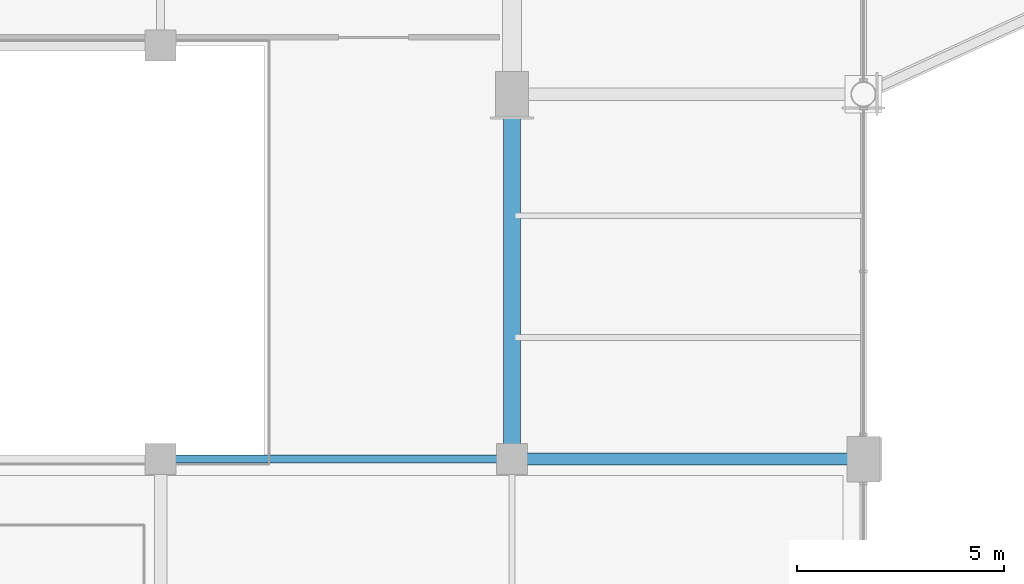
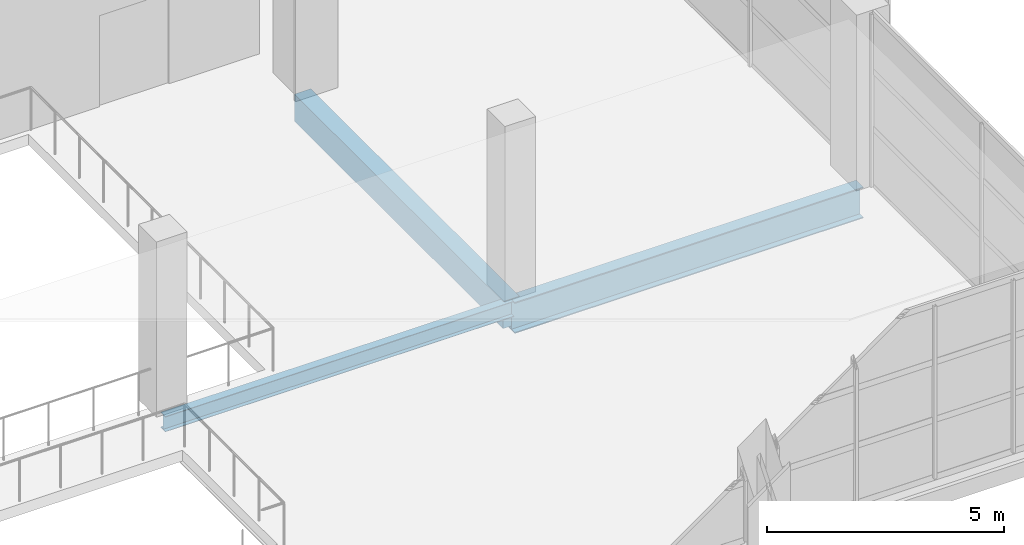
# One storey, part 24 of 101: 3 beams.
"""IFC4 building model written with IfcOpenShell, lengths in metres."""

import ifcopenshell
import ifcopenshell.guid

model = None  # the IFC model being written
_history = None  # IfcOwnerHistory: only IFC2X3 demands one
_inside = {}  # id of a spatial element -> (the spatial element, [elements in it])
_under = {}  # id of a project, library or spatial element -> (it, [spatial elements below it])
_declared = {}  # id of a project -> (the project, [libraries it declares])
_typed = {}  # id of a type object -> (the type object, [elements of that type])
_made_of = {}  # id of a material, layer set ... -> (it, [elements and type objects made of it])


def new_model(schema):
    """Start an empty IFC model of exactly this schema.

    Asked for "IFC4X3", IfcOpenShell would pick the latest addendum, in which some entities
    have other attributes; the version numbers below select the first issue.
    IFC2X3 requires an IfcOwnerHistory on every rooted entity: one is made here for all.
    """
    global model, _history
    if schema == "IFC4X3":
        model = ifcopenshell.file(schema_version=(4, 3, 0, 0))
    else:
        model = ifcopenshell.file(schema=schema)
    _inside.clear()
    _under.clear()
    _declared.clear()
    _typed.clear()
    _made_of.clear()
    _history = None
    if model.schema == "IFC2X3":
        org = make("IfcOrganization", Name="unknown")
        user = make(
            "IfcPersonAndOrganization",
            ThePerson=make("IfcPerson", FamilyName="unknown"),
            TheOrganization=org,
        )
        app = make(
            "IfcApplication",
            ApplicationDeveloper=org,
            Version="unknown",
            ApplicationFullName="unknown",
            ApplicationIdentifier="unknown",
        )
        _history = make(
            "IfcOwnerHistory",
            OwningUser=user,
            OwningApplication=app,
            ChangeAction="ADDED",
            CreationDate=0,
        )
    return model


def make(cls, **values):
    """One entity of the class cls with the attributes given. An attribute that is None is left unset."""
    return model.create_entity(
        cls, **{name: value for name, value in values.items() if value is not None}
    )


def rooted(cls, **values):
    """An entity with a GlobalId (a new one), such as an element, a storey or a relation."""
    return make(cls, GlobalId=ifcopenshell.guid.new(), OwnerHistory=_history, **values)


def si_unit(unit_type, name, prefix=None):
    """IfcSIUnit, for example si_unit("LENGTHUNIT", "METRE", prefix="MILLI")."""
    return make("IfcSIUnit", UnitType=unit_type, Prefix=prefix, Name=name)


def assignment(units):
    """IfcUnitAssignment: the units of a project."""
    return None if units is None else make("IfcUnitAssignment", Units=units)


def point(xyz):
    """IfcCartesianPoint."""
    return None if xyz is None else make("IfcCartesianPoint", Coordinates=xyz)


def direction(xyz):
    """IfcDirection."""
    return None if xyz is None else make("IfcDirection", DirectionRatios=xyz)


def frame(location, z_axis=None, x_axis=None):
    """IfcAxis2Placement3D, a coordinate frame: its origin and axes. An axis left out is left unset."""
    return make(
        "IfcAxis2Placement3D",
        Location=point(location),
        Axis=direction(z_axis),
        RefDirection=direction(x_axis),
    )


def frame_2d(location, x_axis=None):
    """IfcAxis2Placement2D, a coordinate frame in the plane: its origin and x axis."""
    return make(
        "IfcAxis2Placement2D", Location=point(location), RefDirection=direction(x_axis)
    )


def origin():
    """The frame at (0, 0, 0) with its axes left unset."""
    return frame((0.0, 0.0, 0.0))


def origin_2d():
    """The frame at (0, 0) in the plane with its x axis left unset."""
    return frame_2d((0.0, 0.0))


def place(relative_to, where):
    """IfcLocalPlacement: puts the frame where relative to a parent placement (None: the world)."""
    return make(
        "IfcLocalPlacement", PlacementRelTo=relative_to, RelativePlacement=where
    )


def context(
    kind, dimensions, precision=None, world=None, true_north=None, identifier=None
):
    """IfcGeometricRepresentationContext, for example the 3D "Model" context."""
    return make(
        "IfcGeometricRepresentationContext",
        ContextIdentifier=identifier,
        ContextType=kind,
        CoordinateSpaceDimension=dimensions,
        Precision=precision,
        WorldCoordinateSystem=world,
        TrueNorth=true_north,
    )


def subcontext(parent, identifier, kind, view, scale=None):
    """IfcGeometricRepresentationSubContext, for example "Body" below "Model"."""
    return make(
        "IfcGeometricRepresentationSubContext",
        ContextIdentifier=identifier,
        ContextType=kind,
        ParentContext=parent,
        TargetScale=scale,
        TargetView=view,
    )


def project(units=None, contexts=None):
    """IfcProject with its units and contexts."""
    return rooted(
        "IfcProject",
        Name="project",
        RepresentationContexts=contexts,
        UnitsInContext=assignment(units),
    )


def spatial(cls, under=None, at=None, **own):
    """A site, building, storey or space (cls), placed at a placement, below another one or the project."""
    s = rooted(cls, ObjectPlacement=at, **own)
    if under is not None:
        _under.setdefault(under.id(), (under, []))[1].append(s)
    return s


def profile(cls, at=None, kind="AREA", **sizes):
    """A parametric profile (cls). Its sizes go by their IFC names, for example OverallWidth=200.0."""
    return make(cls, ProfileType=kind, Position=at, **sizes)


def rectangle(**sizes):
    """IfcRectangleProfileDef."""
    return profile("IfcRectangleProfileDef", **sizes)


def i_section(**sizes):
    """IfcIShapeProfileDef."""
    return profile("IfcIShapeProfileDef", **sizes)


def extrude(swept, where, along, depth):
    """IfcExtrudedAreaSolid: the profile swept, set in the frame where, extruded along a direction by depth."""
    return make(
        "IfcExtrudedAreaSolid",
        SweptArea=swept,
        Position=where,
        ExtrudedDirection=direction(along),
        Depth=depth,
    )


def shape(context_of_items, identifier, shape_type, items):
    """IfcShapeRepresentation: the items that make up one representation, for example the "Body"."""
    return make(
        "IfcShapeRepresentation",
        ContextOfItems=context_of_items,
        RepresentationIdentifier=identifier,
        RepresentationType=shape_type,
        Items=items,
    )


def material(Name=None, Category=None):
    """IfcMaterial."""
    return make("IfcMaterial", Name=Name, Category=Category)


def material_profile(
    of_material, cross_section, Name=None, Category=None, Priority=None
):
    """IfcMaterialProfile: a cross section and its material."""
    return make(
        "IfcMaterialProfile",
        Name=Name,
        Material=of_material,
        Profile=cross_section,
        Priority=Priority,
        Category=Category,
    )


def profile_set(profiles, Name=None, composite=None):
    """IfcMaterialProfileSet."""
    return make(
        "IfcMaterialProfileSet",
        Name=Name,
        MaterialProfiles=profiles,
        CompositeProfile=composite,
    )


def made_of(thing, what):
    """Note that an element or type object is made of a material, layer set ...; save() writes the relation."""
    if what is not None:
        _made_of.setdefault(what.id(), (what, []))[1].append(thing)
    return thing


def type_object(cls, material=None, **own):
    """A type object (cls), such as IfcWallType, which elements share."""
    return made_of(rooted(cls, **own), material)


def element(
    cls,
    number,
    at=None,
    inside=None,
    cuts=None,
    type_object=None,
    material=None,
    context=None,
    identifier="Body",
    shape_type=None,
    held_by="IfcProductDefinitionShape",
    body=None,
    shapes=None,
    **own,
):
    """One element of the class cls, such as IfcWall. Its Tag is "e" and its number.

    at: its placement. inside: the storey or other place that contains it. cuts: it is an
    opening in that element (IfcRelVoidsElement). A single representation is given by context,
    identifier, shape_type and body (its items); several are given by shapes. held_by: the class
    of the entity that holds the representations. save() writes the other relations.
    """
    e = rooted(cls, Tag="e%d" % number, ObjectPlacement=at, **own)
    if body is not None:
        shapes = [shape(context, identifier, shape_type, body)]
    if shapes is not None:
        e.Representation = make(held_by, Representations=shapes)
    if inside is not None:
        _inside.setdefault(inside.id(), (inside, []))[1].append(e)
    if cuts is not None:
        rooted(
            "IfcRelVoidsElement", RelatingBuildingElement=cuts, RelatedOpeningElement=e
        )
    if type_object is not None:
        _typed.setdefault(type_object.id(), (type_object, []))[1].append(e)
    return made_of(e, material)


def aggregate(whole, parts):
    """IfcRelAggregates: a whole, such as a stair, and the parts it consists of."""
    return rooted("IfcRelAggregates", RelatingObject=whole, RelatedObjects=parts)


def save(model, path):
    """Write the relations noted so far, then the file.

    IfcRelAggregates (storeys below a building ...), IfcRelContainedInSpatialStructure (elements
    in a storey), IfcRelDefinesByType, IfcRelAssociatesMaterial and IfcRelDeclares: one each for
    every whole, place, type object, material and project.
    """
    for whole, parts in _under.values():
        aggregate(whole, parts)
    for where, things in _inside.values():
        rooted(
            "IfcRelContainedInSpatialStructure",
            RelatedElements=things,
            RelatingStructure=where,
        )
    for kind, things in _typed.values():
        rooted("IfcRelDefinesByType", RelatedObjects=things, RelatingType=kind)
    for what, things in _made_of.values():
        rooted("IfcRelAssociatesMaterial", RelatedObjects=things, RelatingMaterial=what)
    for by, libraries in _declared.values():
        rooted("IfcRelDeclares", RelatingContext=by, RelatedDefinitions=libraries)
    model.write(path)


model = new_model("IFC4")

# Units and contexts
model_context = context("Model", 3, precision=1e-05, world=origin(), true_north=direction((0.0, 1.0)))
body_context = subcontext(model_context, "Body", "Model", "MODEL_VIEW")
ifc_project = project(units=[si_unit("LENGTHUNIT", "METRE"), si_unit("AREAUNIT", "SQUARE_METRE"), si_unit("VOLUMEUNIT", "CUBIC_METRE"), si_unit("PLANEANGLEUNIT", "RADIAN"), si_unit("MASSUNIT", "GRAM", prefix="KILO")], contexts=[model_context])

# Site, building, storey
site_placement = place(None, origin())
site = spatial("IfcSite", under=ifc_project, at=site_placement, CompositionType="ELEMENT")
building_placement = place(site_placement, origin())
building = spatial("IfcBuilding", under=site, at=building_placement, Name="Solvikara Media Centre", CompositionType="ELEMENT")
storey_placement = place(building_placement, frame((0.0, 0.0, 10.199951171875)))
storey = spatial("IfcBuildingStorey", under=building, at=storey_placement, Name="L02", CompositionType="ELEMENT", Elevation=10.199951171875)

# Beams
ifc_material_1 = material(Name="Concrete fc' 35 MPa (C35/45)", Category="concrete")
ifc_material_profile_1 = material_profile(ifc_material_1, rectangle(XDim=0.39990234375, YDim=0.699951171875, at=origin_2d()), Name="RC 400x700")
ifc_profile_set_1 = profile_set([ifc_material_profile_1], Name="Concrete fc' 35 MPa (C35/45)")
beam_type_1 = type_object("IfcBeamType", Name="BM-13", PredefinedType="SPANDREL", material=ifc_profile_set_1)
beam_1_placement = place(storey_placement, frame((68.0, 10.5, -0.6298828125), z_axis=(0.0, 1.0, 0.0), x_axis=(-1.0, 0.0, 0.0)))
element("IfcBeam", 1, at=beam_1_placement, inside=storey, type_object=beam_type_1, Name="B-L02-Y0967", PredefinedType="SPANDREL", context=body_context, shape_type="SweptSolid", body=[
    extrude(rectangle(XDim=0.39990234375, YDim=0.699951171875, at=origin_2d()), origin(), (0.0, 0.0, 1.0), 8.823974609375),
])
ifc_material_2 = material(Name="Steel S355JR", Category="steel")
ifc_material_profile_2 = material_profile(ifc_material_2, i_section(OverallWidth=0.300048828125, OverallDepth=0.800048828125, WebThickness=0.013916015625, FlangeThickness=0.02587890625, at=origin_2d()), Name="WF 800x300x14x26")
ifc_profile_set_2 = profile_set([ifc_material_profile_2], Name="Steel S355JR")
beam_type_2 = type_object("IfcBeamType", Name="BM-16", PredefinedType="BEAM", material=ifc_profile_set_2)
beam_2_placement = place(storey_placement, frame((68.0, 10.5, -0.681884765625), z_axis=(1.0, 0.0, 0.0), x_axis=(0.0, 1.0, 0.0)))
element("IfcBeam", 2, at=beam_2_placement, inside=storey, type_object=beam_type_2, Name="B-L02-X0841", PredefinedType="BEAM", context=body_context, shape_type="SweptSolid", body=[
    extrude(i_section(OverallWidth=0.300048828125, OverallDepth=0.800048828125, WebThickness=0.013916015625, FlangeThickness=0.02587890625, at=origin_2d()), origin(), (0.0, 0.0, 1.0), 8.5),
])
ifc_material_profile_3 = material_profile(ifc_material_2, i_section(OverallWidth=0.198974609375, OverallDepth=0.39599609375, WebThickness=0.007080078125, FlangeThickness=0.010986328125, at=origin_2d()), Name="H 396x199x7x11")
ifc_profile_set_3 = profile_set([ifc_material_profile_3], Name="Steel S355JR")
beam_type_3 = type_object("IfcBeamType", Name="BM-44", PredefinedType="BEAM", material=ifc_profile_set_3)
beam_3_placement = place(storey_placement, frame((59.5, 10.5, -0.47998046875), z_axis=(1.0, 0.0, 0.0), x_axis=(0.0, 1.0, 0.0)))
element("IfcBeam", 3, at=beam_3_placement, inside=storey, type_object=beam_type_3, Name="B-L02-X0840", PredefinedType="BEAM", context=body_context, shape_type="SweptSolid", body=[
    extrude(i_section(OverallWidth=0.198974609375, OverallDepth=0.39599609375, WebThickness=0.007080078125, FlangeThickness=0.010986328125, at=origin_2d()), origin(), (0.0, 0.0, 1.0), 8.5),
])

save(model, "model.ifc")
